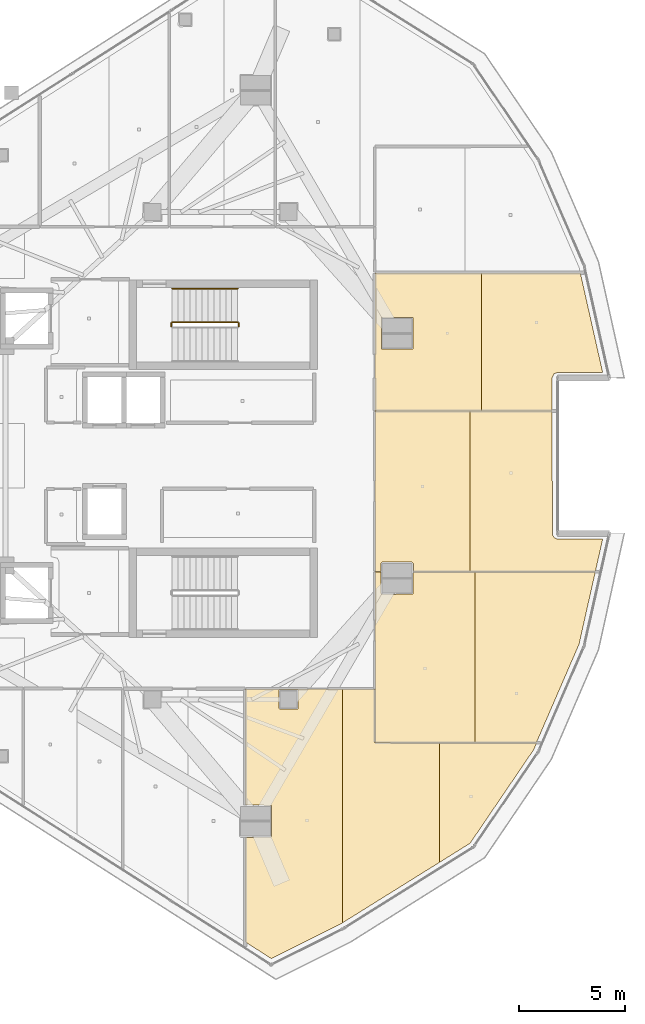
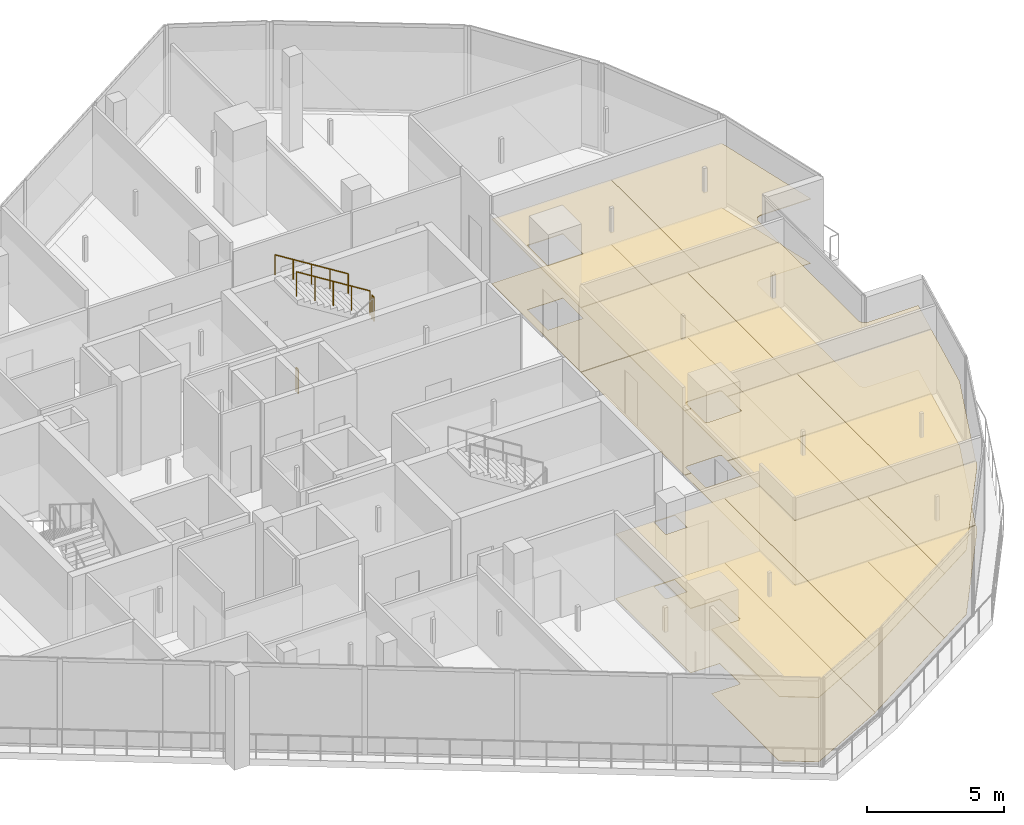
# One storey, part 28 of 29: 18 coverings, 4 railings.
"""IFC4 building model written with IfcOpenShell, lengths in metres."""

from ifc_helpers import new_model, si_unit, direction, frame, origin, origin_2d, place, context, subcontext, project, spatial, polyline, circle, outline, extrude, material, layer, layer_set, type_object, element, save


model = new_model("IFC4")

# Units and contexts
model_context = context("Model", 3, precision=1e-05, world=origin(), true_north=direction((0.0, 1.0)))
body_context = subcontext(model_context, "Body", "Model", "MODEL_VIEW")
ifc_project = project(units=[si_unit("LENGTHUNIT", "METRE"), si_unit("AREAUNIT", "SQUARE_METRE"), si_unit("VOLUMEUNIT", "CUBIC_METRE"), si_unit("PLANEANGLEUNIT", "RADIAN"), si_unit("MASSUNIT", "GRAM", prefix="KILO")], contexts=[model_context])

# Site, building, storey
site_placement = place(None, origin())
site = spatial("IfcSite", under=ifc_project, at=site_placement, CompositionType="ELEMENT")
building_placement = place(site_placement, origin())
building = spatial("IfcBuilding", under=site, at=building_placement, Name="Qorvath Tower", CompositionType="ELEMENT")
storey_placement = place(building_placement, frame((0.0, 0.0, 285.0)))
storey = spatial("IfcBuildingStorey", under=building, at=storey_placement, Name="L66", CompositionType="ELEMENT", Elevation=285.0)

# Coverings
ifc_material_1 = material(Name="Acoustic mineral fibre ceiling tile", Category="gypsum")
ifc_layer_1 = layer(ifc_material_1, 0.030029296875)
ifc_layer_set_1 = layer_set([ifc_layer_1], Name="COV-CEIL")
covering_type_1 = type_object("IfcCoveringType", Name="COV-CEIL", PredefinedType="CEILING", material=ifc_layer_set_1)
covering_1_placement = place(storey_placement, frame((0.0, 0.0, 2.85009765625)))
element("IfcCovering", 1, at=covering_1_placement, inside=storey, type_object=covering_type_1, Name="L66 Suspended Acoustic Ceiling 025", PredefinedType="CEILING", context=body_context, shape_type="SweptSolid", body=[
    extrude(outline(polyline([(-14.659912109375, -21.952880859375), (-14.659912109375, -10.96142578125), (-19.219482421875, -10.956787109375), (-19.219482421875, -16.41552734375), (-18.008056640625, -16.43310546875), (-17.990478515625, -17.87548828125), (-18.050537109375, -17.935546875), (-19.219482421875, -17.935546875), (-19.219482421875, -22.86181640625), (-18.00830078125, -23.635986328125), (-14.73046875, -21.996826171875), (-14.659912109375, -21.952880859375)]), holes=[polyline([(-17.659912109375, -11.85009765625), (-17.642333984375, -11.007568359375), (-16.757568359375, -11.007568359375), (-16.757568359375, -11.892333984375), (-17.60009765625, -11.909912109375), (-17.659912109375, -11.85009765625)])]), origin(), (0.0, 0.0, 1.0), 0.030029296875),
])
covering_2_placement = place(storey_placement, frame((0.0, 0.0, 2.85009765625)))
element("IfcCovering", 2, at=covering_2_placement, inside=storey, type_object=covering_type_1, Name="L66 Suspended Acoustic Ceiling 026", PredefinedType="CEILING", context=body_context, shape_type="SweptSolid", body=[
    extrude(outline(polyline([(-13.155029296875, -10.962890625), (-14.659912109375, -10.96142578125), (-14.659912109375, -21.952880859375), (-10.10009765625, -19.110107421875), (-10.10009765625, -13.493896484375), (-13.14990234375, -13.489013671875), (-13.155029296875, -10.962890625)])), origin(), (0.0, 0.0, 1.0), 0.030029296875),
])
covering_3_placement = place(storey_placement, frame((0.0, 0.0, 2.85009765625)))
element("IfcCovering", 3, at=covering_3_placement, inside=storey, type_object=covering_type_1, Name="L66 Suspended Acoustic Ceiling 027", PredefinedType="CEILING", context=body_context, shape_type="SweptSolid", body=[
    extrude(outline(polyline([(-10.10009765625, -13.493896484375), (-10.10009765625, -19.110107421875), (-8.66552734375, -18.215576171875), (-5.662109375, -13.796142578125), (-5.54052734375, -13.50146484375), (-10.10009765625, -13.493896484375)])), origin(), (0.0, 0.0, 1.0), 0.030029296875),
])
covering_4_placement = place(storey_placement, frame((0.0, 0.0, 2.85009765625)))
element("IfcCovering", 4, at=covering_4_placement, inside=storey, type_object=covering_type_1, Name="L66 Suspended Acoustic Ceiling 028", PredefinedType="CEILING", context=body_context, shape_type="SweptSolid", body=[
    extrude(outline(polyline([(-13.136962890625, -5.454833984375), (-13.136962890625, -13.470947265625), (-8.430419921875, -13.478759765625), (-8.430419921875, -5.454833984375), (-11.3369140625, -5.454833984375), (-11.3544921875, -6.500244140625), (-12.796875, -6.517822265625), (-12.856689453125, -6.4580078125), (-12.856689453125, -5.454833984375), (-13.136962890625, -5.454833984375)])), origin(), (0.0, 0.0, 1.0), 0.030029296875),
])
covering_5_placement = place(storey_placement, frame((0.0, 0.0, 2.85009765625)))
element("IfcCovering", 5, at=covering_5_placement, inside=storey, type_object=covering_type_1, Name="L66 Suspended Acoustic Ceiling 029", PredefinedType="CEILING", context=body_context, shape_type="SweptSolid", body=[
    extrude(outline(polyline([(-8.430419921875, -5.454833984375), (-8.430419921875, -13.478759765625), (-5.548095703125, -13.4833984375), (-3.544921875, -8.85986328125), (-2.780029296875, -5.454833984375), (-8.430419921875, -5.454833984375)])), origin(), (0.0, 0.0, 1.0), 0.030029296875),
])
covering_6_placement = place(storey_placement, frame((0.0, 0.0, 2.85009765625)))
element("IfcCovering", 6, at=covering_6_placement, inside=storey, type_object=covering_type_1, Name="L66 Suspended Acoustic Ceiling 030", PredefinedType="CEILING", context=body_context, shape_type="SweptSolid", body=[
    extrude(outline(polyline([(-8.667724609375, -5.436767578125), (-8.667724609375, 2.095458984375), (-13.136962890625, 2.095458984375), (-13.136962890625, -5.436767578125), (-12.856689453125, -5.436767578125), (-12.856689453125, -5.057861328125), (-12.796875, -4.997802734375), (-11.396728515625, -4.997802734375), (-11.3369140625, -5.057861328125), (-11.3369140625, -5.436767578125), (-8.667724609375, -5.436767578125)])), origin(), (0.0, 0.0, 1.0), 0.030029296875),
])
covering_7_placement = place(storey_placement, frame((0.0, 0.0, 2.85009765625)))
element("IfcCovering", 7, at=covering_7_placement, inside=storey, type_object=covering_type_1, Name="L66 Suspended Acoustic Ceiling 031", PredefinedType="CEILING", context=body_context, shape_type="SweptSolid", body=[
    extrude(outline(polyline([(-4.71484375, -3.8515625), (-4.802001953125, -3.70458984375), (-4.806884765625, 2.095458984375), (-8.667724609375, 2.095458984375), (-8.667724609375, -5.436767578125), (-2.776123046875, -5.436767578125), (-2.433349609375, -3.910888671875), (-4.576416015625, -3.90966796875), (-4.71484375, -3.8515625)])), origin(), (0.0, 0.0, 1.0), 0.030029296875),
])
covering_8_placement = place(storey_placement, frame((0.0, 0.0, 2.85009765625)))
element("IfcCovering", 8, at=covering_8_placement, inside=storey, type_object=covering_type_1, Name="L66 Suspended Acoustic Ceiling 032", PredefinedType="CEILING", context=body_context, shape_type="SweptSolid", body=[
    extrude(outline(polyline([(-8.124755859375, 2.113525390625), (-8.124755859375, 8.595703125), (-13.136962890625, 8.595703125), (-13.136962890625, 2.113525390625), (-8.124755859375, 2.113525390625)]), holes=[polyline([(-12.839111328125, 5.015380859375), (-12.839111328125, 6.500244140625), (-11.3544921875, 6.500244140625), (-11.3544921875, 5.015380859375), (-12.839111328125, 5.015380859375)])]), origin(), (0.0, 0.0, 1.0), 0.030029296875),
])
covering_9_placement = place(storey_placement, frame((0.0, 0.0, 2.85009765625)))
element("IfcCovering", 9, at=covering_9_placement, inside=storey, type_object=covering_type_1, Name="L66 Suspended Acoustic Ceiling 033", PredefinedType="CEILING", context=body_context, shape_type="SweptSolid", body=[
    extrude(outline(polyline([(-4.712158203125, 3.853759765625), (-4.552001953125, 3.910888671875), (-2.433349609375, 3.910888671875), (-3.485595703125, 8.595703125), (-8.124755859375, 8.595703125), (-8.124755859375, 2.113525390625), (-4.806884765625, 2.113525390625), (-4.8056640625, 3.680419921875), (-4.712158203125, 3.853759765625)])), origin(), (0.0, 0.0, 1.0), 0.030029296875),
])
ifc_material_2 = material(Name="Low-VOC modular carpet tile", Category="textile")
ifc_layer_2 = layer(ifc_material_2, 0.014892578125)
ifc_layer_set_2 = layer_set([ifc_layer_2], Name="COV-FLOOR-CPT")
covering_type_2 = type_object("IfcCoveringType", Name="COV-FLOOR-CPT", PredefinedType="FLOORING", material=ifc_layer_set_2)
covering_10_placement = place(storey_placement, origin())
element("IfcCovering", 10, at=covering_10_placement, inside=storey, type_object=covering_type_2, Name="L66 Floor Finish 025", PredefinedType="FLOORING", context=body_context, shape_type="SweptSolid", body=[
    extrude(outline(polyline([(-14.659912109375, -21.952880859375), (-14.659912109375, -10.96142578125), (-19.219482421875, -10.956787109375), (-19.219482421875, -16.41552734375), (-18.008056640625, -16.43310546875), (-17.990478515625, -17.87548828125), (-18.050537109375, -17.935546875), (-19.219482421875, -17.935546875), (-19.219482421875, -22.86181640625), (-18.00830078125, -23.635986328125), (-14.73046875, -21.996826171875), (-14.659912109375, -21.952880859375)]), holes=[polyline([(-17.659912109375, -11.85009765625), (-17.642333984375, -11.007568359375), (-16.757568359375, -11.007568359375), (-16.757568359375, -11.892333984375), (-17.60009765625, -11.909912109375), (-17.659912109375, -11.85009765625)])]), origin(), (0.0, 0.0, 1.0), 0.014892578125),
])
covering_11_placement = place(storey_placement, origin())
element("IfcCovering", 11, at=covering_11_placement, inside=storey, type_object=covering_type_2, Name="L66 Floor Finish 026", PredefinedType="FLOORING", context=body_context, shape_type="SweptSolid", body=[
    extrude(outline(polyline([(-13.155029296875, -10.962890625), (-14.659912109375, -10.96142578125), (-14.659912109375, -21.952880859375), (-10.10009765625, -19.110107421875), (-10.10009765625, -13.493896484375), (-13.14990234375, -13.489013671875), (-13.155029296875, -10.962890625)])), origin(), (0.0, 0.0, 1.0), 0.014892578125),
])
covering_12_placement = place(storey_placement, origin())
element("IfcCovering", 12, at=covering_12_placement, inside=storey, type_object=covering_type_2, Name="L66 Floor Finish 027", PredefinedType="FLOORING", context=body_context, shape_type="SweptSolid", body=[
    extrude(outline(polyline([(-10.10009765625, -13.493896484375), (-10.10009765625, -19.110107421875), (-8.66552734375, -18.215576171875), (-5.662109375, -13.796142578125), (-5.54052734375, -13.50146484375), (-10.10009765625, -13.493896484375)])), origin(), (0.0, 0.0, 1.0), 0.014892578125),
])
covering_13_placement = place(storey_placement, origin())
element("IfcCovering", 13, at=covering_13_placement, inside=storey, type_object=covering_type_2, Name="L66 Floor Finish 028", PredefinedType="FLOORING", context=body_context, shape_type="SweptSolid", body=[
    extrude(outline(polyline([(-13.136962890625, -5.454833984375), (-13.136962890625, -13.470947265625), (-8.430419921875, -13.478759765625), (-8.430419921875, -5.454833984375), (-11.3369140625, -5.454833984375), (-11.3544921875, -6.500244140625), (-12.796875, -6.517822265625), (-12.856689453125, -6.4580078125), (-12.856689453125, -5.454833984375), (-13.136962890625, -5.454833984375)])), origin(), (0.0, 0.0, 1.0), 0.014892578125),
])
covering_14_placement = place(storey_placement, origin())
element("IfcCovering", 14, at=covering_14_placement, inside=storey, type_object=covering_type_2, Name="L66 Floor Finish 029", PredefinedType="FLOORING", context=body_context, shape_type="SweptSolid", body=[
    extrude(outline(polyline([(-8.430419921875, -5.454833984375), (-8.430419921875, -13.478759765625), (-5.548095703125, -13.4833984375), (-3.544921875, -8.85986328125), (-2.780029296875, -5.454833984375), (-8.430419921875, -5.454833984375)])), origin(), (0.0, 0.0, 1.0), 0.014892578125),
])
covering_15_placement = place(storey_placement, origin())
element("IfcCovering", 15, at=covering_15_placement, inside=storey, type_object=covering_type_2, Name="L66 Floor Finish 030", PredefinedType="FLOORING", context=body_context, shape_type="SweptSolid", body=[
    extrude(outline(polyline([(-8.667724609375, -5.436767578125), (-8.667724609375, 2.095458984375), (-13.136962890625, 2.095458984375), (-13.136962890625, -5.436767578125), (-12.856689453125, -5.436767578125), (-12.856689453125, -5.057861328125), (-12.796875, -4.997802734375), (-11.396728515625, -4.997802734375), (-11.3369140625, -5.057861328125), (-11.3369140625, -5.436767578125), (-8.667724609375, -5.436767578125)])), origin(), (0.0, 0.0, 1.0), 0.014892578125),
])
covering_16_placement = place(storey_placement, origin())
element("IfcCovering", 16, at=covering_16_placement, inside=storey, type_object=covering_type_2, Name="L66 Floor Finish 031", PredefinedType="FLOORING", context=body_context, shape_type="SweptSolid", body=[
    extrude(outline(polyline([(-4.71484375, -3.8515625), (-4.802001953125, -3.70458984375), (-4.806884765625, 2.095458984375), (-8.667724609375, 2.095458984375), (-8.667724609375, -5.436767578125), (-2.776123046875, -5.436767578125), (-2.433349609375, -3.910888671875), (-4.576416015625, -3.90966796875), (-4.71484375, -3.8515625)])), origin(), (0.0, 0.0, 1.0), 0.014892578125),
])
covering_17_placement = place(storey_placement, origin())
element("IfcCovering", 17, at=covering_17_placement, inside=storey, type_object=covering_type_2, Name="L66 Floor Finish 032", PredefinedType="FLOORING", context=body_context, shape_type="SweptSolid", body=[
    extrude(outline(polyline([(-8.124755859375, 2.113525390625), (-8.124755859375, 8.595703125), (-13.136962890625, 8.595703125), (-13.136962890625, 2.113525390625), (-8.124755859375, 2.113525390625)]), holes=[polyline([(-12.839111328125, 5.015380859375), (-12.839111328125, 6.500244140625), (-11.3544921875, 6.500244140625), (-11.3544921875, 5.015380859375), (-12.839111328125, 5.015380859375)])]), origin(), (0.0, 0.0, 1.0), 0.014892578125),
])
covering_18_placement = place(storey_placement, origin())
element("IfcCovering", 18, at=covering_18_placement, inside=storey, type_object=covering_type_2, Name="L66 Floor Finish 033", PredefinedType="FLOORING", context=body_context, shape_type="SweptSolid", body=[
    extrude(outline(polyline([(-4.712158203125, 3.853759765625), (-4.552001953125, 3.910888671875), (-2.433349609375, 3.910888671875), (-3.485595703125, 8.595703125), (-8.124755859375, 8.595703125), (-8.124755859375, 2.113525390625), (-4.806884765625, 2.113525390625), (-4.8056640625, 3.680419921875), (-4.712158203125, 3.853759765625)])), origin(), (0.0, 0.0, 1.0), 0.014892578125),
])

# Railings
ifc_material_3 = material(Name="Painted galvanised steel", Category="steel")
railing_type_1 = type_object("IfcRailingType", Name="RL-STR-GRD", PredefinedType="GUARDRAIL", material=ifc_material_3)
railing_1_placement = place(storey_placement, frame((-19.5400390625, 6.080078125, 2.10009765625)))
element("IfcRailing", 19, at=railing_1_placement, inside=storey, type_object=railing_type_1, Name="L66 TS1 stair guard 2", PredefinedType="GUARDRAIL", context=body_context, shape_type="SweptSolid", body=[
    extrude(circle(Radius=0.02392578125, at=origin_2d()), frame((0.0, 0.0, 1.076171875), z_axis=(0.0, 1.0, 0.0), x_axis=(-1.0, 0.0, 0.0)), (0.0, 0.0, 1.0), 0.14990234375),
    extrude(circle(Radius=0.02099609375, at=origin_2d()), origin(), (0.0, 0.0, 1.0), 1.052001953125),
    extrude(circle(Radius=0.02099609375, at=origin_2d()), frame((0.0, 0.14990234375, 0.0)), (0.0, 0.0, 1.0), 1.052001953125),
])
railing_2_placement = place(storey_placement, frame((-19.590087890625, 6.280029296875, 2.27490234375)))
element("IfcRailing", 20, at=railing_2_placement, inside=storey, type_object=railing_type_1, Name="L66 TS1 stair guard 3", PredefinedType="GUARDRAIL", context=body_context, shape_type="SweptSolid", body=[
    extrude(circle(Radius=0.02392578125, at=origin_2d()), frame((0.0, 0.0, 1.076171875), z_axis=(-0.847979421464, 0.0, 0.530029150871), x_axis=(0.0, -1.0, 0.0)), (0.0, 0.0, 1.0), 3.632080078125),
    extrude(circle(Radius=0.02099609375, at=origin_2d()), origin(), (0.0, 0.0, 1.0), 1.052001953125),
    extrude(circle(Radius=0.02099609375, at=origin_2d()), frame((-0.77001953125, 0.0, 0.481201171875)), (0.0, 0.0, 1.0), 1.052001953125),
    extrude(circle(Radius=0.02099609375, at=origin_2d()), frame((-1.5400390625, 0.0, 0.96240234375)), (0.0, 0.0, 1.0), 1.052001953125),
    extrude(circle(Radius=0.02099609375, at=origin_2d()), frame((-2.309814453125, 0.0, 1.44384765625)), (0.0, 0.0, 1.0), 1.052001953125),
    extrude(circle(Radius=0.02099609375, at=origin_2d()), frame((-3.079833984375, 0.0, 1.925048828125)), (0.0, 0.0, 1.0), 1.052001953125),
])
railing_3_placement = place(storey_placement, frame((-22.719970703125, 6.080078125, 0.0)))
element("IfcRailing", 21, at=railing_3_placement, inside=storey, type_object=railing_type_1, Name="L66 TS1 stair guard 4", PredefinedType="GUARDRAIL", context=body_context, shape_type="SweptSolid", body=[
    extrude(circle(Radius=0.02392578125, at=origin_2d()), frame((0.0, 0.0, 1.076171875), z_axis=(0.0, 1.0, 0.0), x_axis=(-1.0, 0.0, 0.0)), (0.0, 0.0, 1.0), 0.14990234375),
    extrude(circle(Radius=0.02099609375, at=origin_2d()), origin(), (0.0, 0.0, 1.0), 1.052001953125),
    extrude(circle(Radius=0.02099609375, at=origin_2d()), frame((0.0, 0.14990234375, 0.0)), (0.0, 0.0, 1.0), 1.052001953125),
])
ifc_material_4 = material(Name="Brushed stainless steel AISI 304", Category="steel")
railing_type_2 = type_object("IfcRailingType", Name="RL-STR-HND", PredefinedType="HANDRAIL", material=ifc_material_4)
railing_4_placement = place(storey_placement, frame((-19.590087890625, 7.860107421875, 2.27490234375)))
element("IfcRailing", 22, at=railing_4_placement, inside=storey, type_object=railing_type_2, Name="L66 TS1 stair handrail 2", PredefinedType="HANDRAIL", context=body_context, shape_type="SweptSolid", body=[
    extrude(circle(Radius=0.02392578125, at=origin_2d()), frame((0.0, 0.0, 0.8759765625), z_axis=(-0.847979421464, 0.0, 0.530029150871), x_axis=(0.0, -1.0, 0.0)), (0.0, 0.0, 1.0), 3.632080078125),
    extrude(circle(Radius=0.02099609375, at=origin_2d()), origin(), (0.0, 0.0, 1.0), 0.851806640625),
    extrude(circle(Radius=0.02099609375, at=origin_2d()), frame((-0.77001953125, 0.0, 0.481201171875)), (0.0, 0.0, 1.0), 0.851806640625),
    extrude(circle(Radius=0.02099609375, at=origin_2d()), frame((-1.5400390625, 0.0, 0.96240234375)), (0.0, 0.0, 1.0), 0.851806640625),
    extrude(circle(Radius=0.02099609375, at=origin_2d()), frame((-2.309814453125, 0.0, 1.44384765625)), (0.0, 0.0, 1.0), 0.851806640625),
    extrude(circle(Radius=0.02099609375, at=origin_2d()), frame((-3.079833984375, 0.0, 1.925048828125)), (0.0, 0.0, 1.0), 0.851806640625),
])

save(model, "model.ifc")
